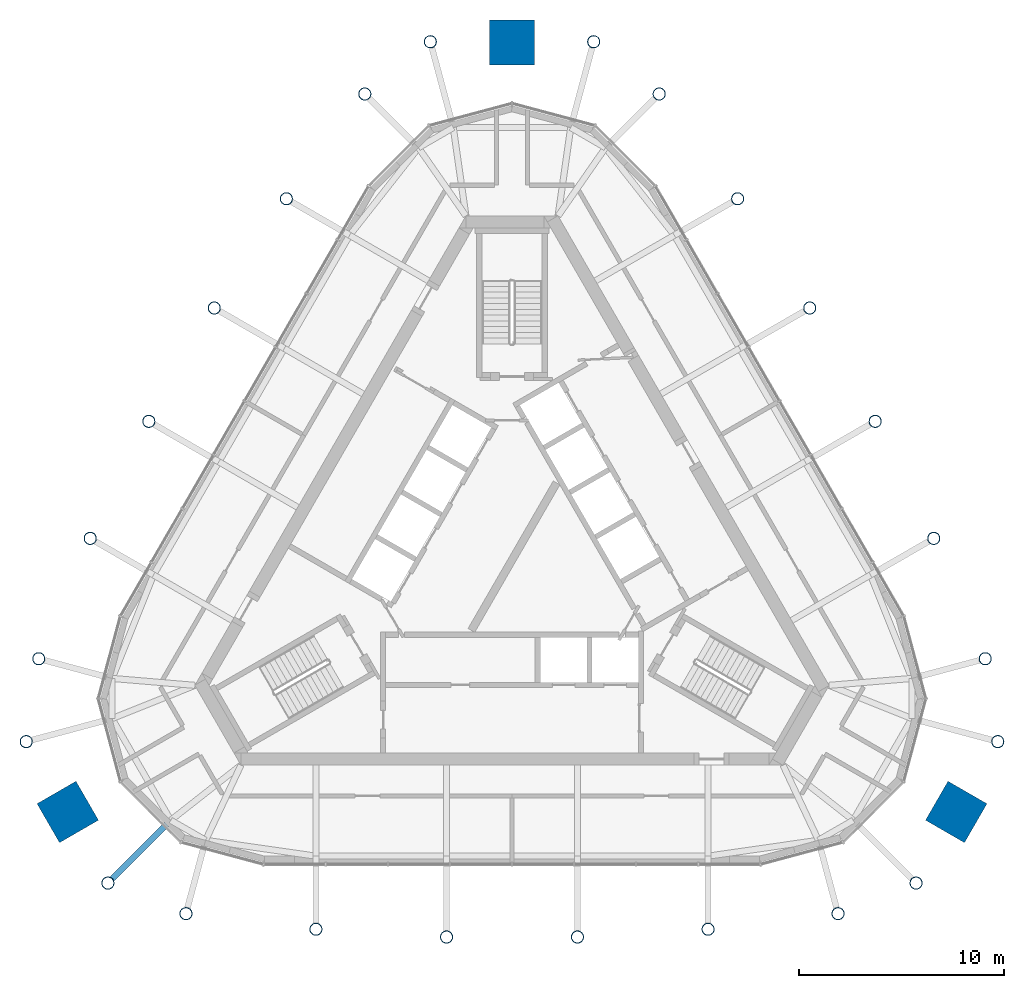
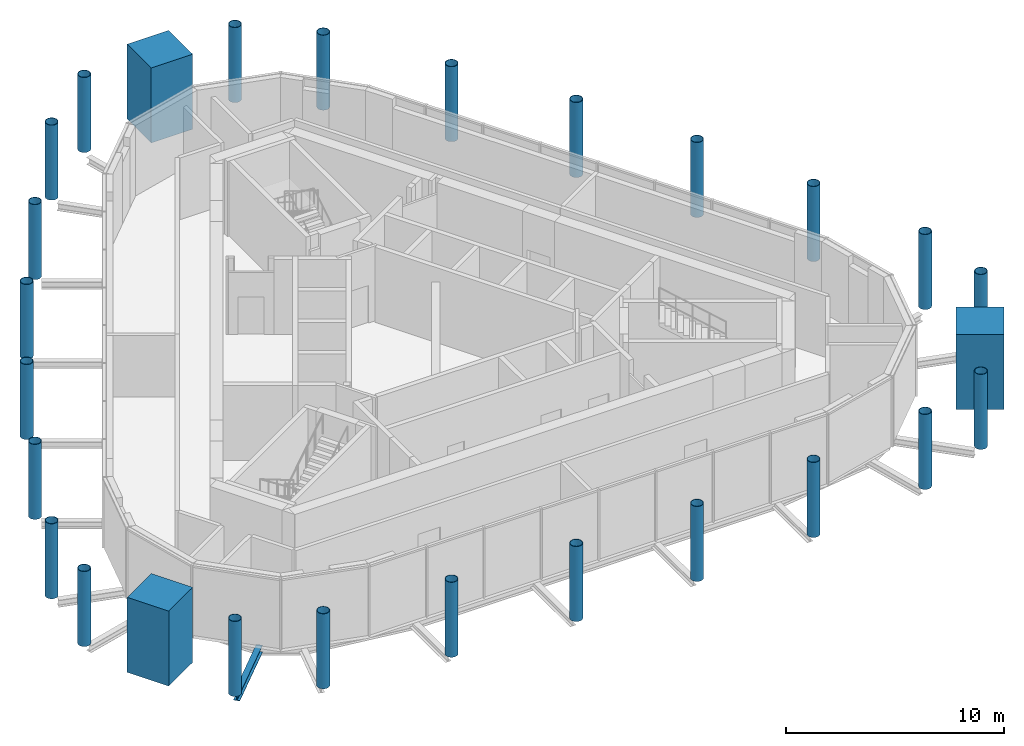
# One storey, part 1 of 11: 27 columns, 1 beam.
"""IFC4 building model written with IfcOpenShell, lengths in metres."""

import ifcopenshell
import ifcopenshell.guid

model = None  # the IFC model being written
_history = None  # IfcOwnerHistory: only IFC2X3 demands one
_inside = {}  # id of a spatial element -> (the spatial element, [elements in it])
_under = {}  # id of a project, library or spatial element -> (it, [spatial elements below it])
_declared = {}  # id of a project -> (the project, [libraries it declares])
_typed = {}  # id of a type object -> (the type object, [elements of that type])
_made_of = {}  # id of a material, layer set ... -> (it, [elements and type objects made of it])


def new_model(schema):
    """Start an empty IFC model of exactly this schema.

    Asked for "IFC4X3", IfcOpenShell would pick the latest addendum, in which some entities
    have other attributes; the version numbers below select the first issue.
    IFC2X3 requires an IfcOwnerHistory on every rooted entity: one is made here for all.
    """
    global model, _history
    if schema == "IFC4X3":
        model = ifcopenshell.file(schema_version=(4, 3, 0, 0))
    else:
        model = ifcopenshell.file(schema=schema)
    _inside.clear()
    _under.clear()
    _declared.clear()
    _typed.clear()
    _made_of.clear()
    _history = None
    if model.schema == "IFC2X3":
        org = make("IfcOrganization", Name="unknown")
        user = make(
            "IfcPersonAndOrganization",
            ThePerson=make("IfcPerson", FamilyName="unknown"),
            TheOrganization=org,
        )
        app = make(
            "IfcApplication",
            ApplicationDeveloper=org,
            Version="unknown",
            ApplicationFullName="unknown",
            ApplicationIdentifier="unknown",
        )
        _history = make(
            "IfcOwnerHistory",
            OwningUser=user,
            OwningApplication=app,
            ChangeAction="ADDED",
            CreationDate=0,
        )
    return model


def make(cls, **values):
    """One entity of the class cls with the attributes given. An attribute that is None is left unset."""
    return model.create_entity(
        cls, **{name: value for name, value in values.items() if value is not None}
    )


def rooted(cls, **values):
    """An entity with a GlobalId (a new one), such as an element, a storey or a relation."""
    return make(cls, GlobalId=ifcopenshell.guid.new(), OwnerHistory=_history, **values)


def si_unit(unit_type, name, prefix=None):
    """IfcSIUnit, for example si_unit("LENGTHUNIT", "METRE", prefix="MILLI")."""
    return make("IfcSIUnit", UnitType=unit_type, Prefix=prefix, Name=name)


def assignment(units):
    """IfcUnitAssignment: the units of a project."""
    return None if units is None else make("IfcUnitAssignment", Units=units)


def point(xyz):
    """IfcCartesianPoint."""
    return None if xyz is None else make("IfcCartesianPoint", Coordinates=xyz)


def direction(xyz):
    """IfcDirection."""
    return None if xyz is None else make("IfcDirection", DirectionRatios=xyz)


def frame(location, z_axis=None, x_axis=None):
    """IfcAxis2Placement3D, a coordinate frame: its origin and axes. An axis left out is left unset."""
    return make(
        "IfcAxis2Placement3D",
        Location=point(location),
        Axis=direction(z_axis),
        RefDirection=direction(x_axis),
    )


def frame_2d(location, x_axis=None):
    """IfcAxis2Placement2D, a coordinate frame in the plane: its origin and x axis."""
    return make(
        "IfcAxis2Placement2D", Location=point(location), RefDirection=direction(x_axis)
    )


def origin():
    """The frame at (0, 0, 0) with its axes left unset."""
    return frame((0.0, 0.0, 0.0))


def origin_2d():
    """The frame at (0, 0) in the plane with its x axis left unset."""
    return frame_2d((0.0, 0.0))


def place(relative_to, where):
    """IfcLocalPlacement: puts the frame where relative to a parent placement (None: the world)."""
    return make(
        "IfcLocalPlacement", PlacementRelTo=relative_to, RelativePlacement=where
    )


def context(
    kind, dimensions, precision=None, world=None, true_north=None, identifier=None
):
    """IfcGeometricRepresentationContext, for example the 3D "Model" context."""
    return make(
        "IfcGeometricRepresentationContext",
        ContextIdentifier=identifier,
        ContextType=kind,
        CoordinateSpaceDimension=dimensions,
        Precision=precision,
        WorldCoordinateSystem=world,
        TrueNorth=true_north,
    )


def subcontext(parent, identifier, kind, view, scale=None):
    """IfcGeometricRepresentationSubContext, for example "Body" below "Model"."""
    return make(
        "IfcGeometricRepresentationSubContext",
        ContextIdentifier=identifier,
        ContextType=kind,
        ParentContext=parent,
        TargetScale=scale,
        TargetView=view,
    )


def project(units=None, contexts=None):
    """IfcProject with its units and contexts."""
    return rooted(
        "IfcProject",
        Name="project",
        RepresentationContexts=contexts,
        UnitsInContext=assignment(units),
    )


def spatial(cls, under=None, at=None, **own):
    """A site, building, storey or space (cls), placed at a placement, below another one or the project."""
    s = rooted(cls, ObjectPlacement=at, **own)
    if under is not None:
        _under.setdefault(under.id(), (under, []))[1].append(s)
    return s


def profile(cls, at=None, kind="AREA", **sizes):
    """A parametric profile (cls). Its sizes go by their IFC names, for example OverallWidth=200.0."""
    return make(cls, ProfileType=kind, Position=at, **sizes)


def rectangle(**sizes):
    """IfcRectangleProfileDef."""
    return profile("IfcRectangleProfileDef", **sizes)


def hollow_circle(**sizes):
    """IfcCircleHollowProfileDef."""
    return profile("IfcCircleHollowProfileDef", **sizes)


def i_section(**sizes):
    """IfcIShapeProfileDef."""
    return profile("IfcIShapeProfileDef", **sizes)


def extrude(swept, where, along, depth):
    """IfcExtrudedAreaSolid: the profile swept, set in the frame where, extruded along a direction by depth."""
    return make(
        "IfcExtrudedAreaSolid",
        SweptArea=swept,
        Position=where,
        ExtrudedDirection=direction(along),
        Depth=depth,
    )


def shape(context_of_items, identifier, shape_type, items):
    """IfcShapeRepresentation: the items that make up one representation, for example the "Body"."""
    return make(
        "IfcShapeRepresentation",
        ContextOfItems=context_of_items,
        RepresentationIdentifier=identifier,
        RepresentationType=shape_type,
        Items=items,
    )


def material(Name=None, Category=None):
    """IfcMaterial."""
    return make("IfcMaterial", Name=Name, Category=Category)


def material_profile(
    of_material, cross_section, Name=None, Category=None, Priority=None
):
    """IfcMaterialProfile: a cross section and its material."""
    return make(
        "IfcMaterialProfile",
        Name=Name,
        Material=of_material,
        Profile=cross_section,
        Priority=Priority,
        Category=Category,
    )


def profile_set(profiles, Name=None, composite=None):
    """IfcMaterialProfileSet."""
    return make(
        "IfcMaterialProfileSet",
        Name=Name,
        MaterialProfiles=profiles,
        CompositeProfile=composite,
    )


def made_of(thing, what):
    """Note that an element or type object is made of a material, layer set ...; save() writes the relation."""
    if what is not None:
        _made_of.setdefault(what.id(), (what, []))[1].append(thing)
    return thing


def type_object(cls, material=None, **own):
    """A type object (cls), such as IfcWallType, which elements share."""
    return made_of(rooted(cls, **own), material)


def element(
    cls,
    number,
    at=None,
    inside=None,
    cuts=None,
    type_object=None,
    material=None,
    context=None,
    identifier="Body",
    shape_type=None,
    held_by="IfcProductDefinitionShape",
    body=None,
    shapes=None,
    **own,
):
    """One element of the class cls, such as IfcWall. Its Tag is "e" and its number.

    at: its placement. inside: the storey or other place that contains it. cuts: it is an
    opening in that element (IfcRelVoidsElement). A single representation is given by context,
    identifier, shape_type and body (its items); several are given by shapes. held_by: the class
    of the entity that holds the representations. save() writes the other relations.
    """
    e = rooted(cls, Tag="e%d" % number, ObjectPlacement=at, **own)
    if body is not None:
        shapes = [shape(context, identifier, shape_type, body)]
    if shapes is not None:
        e.Representation = make(held_by, Representations=shapes)
    if inside is not None:
        _inside.setdefault(inside.id(), (inside, []))[1].append(e)
    if cuts is not None:
        rooted(
            "IfcRelVoidsElement", RelatingBuildingElement=cuts, RelatedOpeningElement=e
        )
    if type_object is not None:
        _typed.setdefault(type_object.id(), (type_object, []))[1].append(e)
    return made_of(e, material)


def aggregate(whole, parts):
    """IfcRelAggregates: a whole, such as a stair, and the parts it consists of."""
    return rooted("IfcRelAggregates", RelatingObject=whole, RelatedObjects=parts)


def save(model, path):
    """Write the relations noted so far, then the file.

    IfcRelAggregates (storeys below a building ...), IfcRelContainedInSpatialStructure (elements
    in a storey), IfcRelDefinesByType, IfcRelAssociatesMaterial and IfcRelDeclares: one each for
    every whole, place, type object, material and project.
    """
    for whole, parts in _under.values():
        aggregate(whole, parts)
    for where, things in _inside.values():
        rooted(
            "IfcRelContainedInSpatialStructure",
            RelatedElements=things,
            RelatingStructure=where,
        )
    for kind, things in _typed.values():
        rooted("IfcRelDefinesByType", RelatedObjects=things, RelatingType=kind)
    for what, things in _made_of.values():
        rooted("IfcRelAssociatesMaterial", RelatedObjects=things, RelatingMaterial=what)
    for by, libraries in _declared.values():
        rooted("IfcRelDeclares", RelatingContext=by, RelatedDefinitions=libraries)
    model.write(path)


model = new_model("IFC4")

# Units and contexts
model_context = context("Model", 3, precision=1e-05, world=origin(), true_north=direction((0.0, 1.0)))
body_context = subcontext(model_context, "Body", "Model", "MODEL_VIEW")
ifc_project = project(units=[si_unit("LENGTHUNIT", "METRE"), si_unit("AREAUNIT", "SQUARE_METRE"), si_unit("VOLUMEUNIT", "CUBIC_METRE"), si_unit("PLANEANGLEUNIT", "RADIAN"), si_unit("MASSUNIT", "GRAM", prefix="KILO")], contexts=[model_context])

# Site, building, storey
site_placement = place(None, origin())
site = spatial("IfcSite", under=ifc_project, at=site_placement, CompositionType="ELEMENT")
building_placement = place(site_placement, origin())
building = spatial("IfcBuilding", under=site, at=building_placement, Name="Mestral Congress Tower", CompositionType="ELEMENT")
storey_placement = place(building_placement, frame((0.0, 0.0, 336.0)))
storey = spatial("IfcBuildingStorey", under=building, at=storey_placement, Name="L78", CompositionType="ELEMENT", Elevation=336.0)

# Columns
ifc_material_1 = material(Name="Steel S355", Category="steel")
ifc_material_profile_1 = material_profile(ifc_material_1, hollow_circle(Radius=0.304931640625, WallThickness=0.02490234375, at=origin_2d()), Name="CHS 610x25")
ifc_profile_set_1 = profile_set([ifc_material_profile_1], Name="Steel S355")
column_type_1 = type_object("IfcColumnType", Name="Colonnade column CHS 610x25 S355", PredefinedType="COLUMN", material=ifc_profile_set_1)
for number, where, z_axis, x_axis, name in (
    (1, (-15.940673828125, -17.511962890625, 0.0), (0.0, 0.0, 1.0), (1.0, 0.0, 0.0), "COL-L78-K-C5-S00"),
    (2, (-9.587158203125, -18.273681640625, 0.0), (0.0, 0.0, 1.0), (1.0, 0.0, 0.0), "COL-L78-K-C5-S01"),
    (3, (-3.199462890625, -18.6552734375, 0.0), (0.0, 0.0, 1.0), (1.0, 0.0, 0.0), "COL-L78-K-C5-S02"),
    (4, (3.199462890625, -18.6552734375, 0.0), (0.0, 0.0, 1.0), (1.0, 0.0, 0.0), "COL-L78-K-C5-S03"),
    (5, (9.587158203125, -18.273681640625, 0.0), (0.0, 0.0, 1.0), (1.0, 0.0, 0.0), "COL-L78-K-C5-S04"),
    (6, (15.940673828125, -17.511962890625, 0.0), (0.0, 0.0, 1.0), (1.0, 0.0, 0.0), "COL-L78-K-C5-S05"),
    (7, (19.75439453125, -16.0166015625, 0.0), (0.0, 0.0, 1.0), (1.0, 0.0, 0.0), "COL-L78-K-C5-SE1"),
    (8, (23.748046875, -9.099609375, 0.0), (0.0, 0.0, 1.0), (1.0, 0.0, 0.0), "COL-L78-K-C5-SE3"),
    (9, (23.135986328125, -5.049072265625, 0.0), (0.0, 0.0, 1.0), (1.0, 0.0, 0.0), "COL-L78-K-C5-E00"),
    (10, (20.618896484375, 0.833984375, 0.0), (0.0, 0.0, 1.0), (1.0, 0.0, 0.0), "COL-L78-K-C5-E01"),
    (11, (17.755615234375, 6.556640625, 0.0), (0.0, 0.0, 1.0), (1.0, 0.0, 0.0), "COL-L78-K-C5-E02"),
    (12, (14.55615234375, 12.098388671875, 0.0), (0.0, 0.0, 1.0), (1.0, 0.0, 0.0), "COL-L78-K-C5-E03"),
    (13, (11.031982421875, 17.439697265625, 0.0), (0.0, 0.0, 1.0), (1.0, 0.0, 0.0), "COL-L78-K-C5-E04"),
    (14, (7.1953125, 22.56103515625, 0.0), (0.0, 0.0, 1.0), (1.0, 0.0, 0.0), "COL-L78-K-C5-E05"),
    (15, (3.993408203125, 25.1162109375, 0.0), (0.0, 0.0, 1.0), (1.0, 0.0, 0.0), "COL-L78-K-C5-N1"),
    (16, (-3.993408203125, 25.1162109375, 0.0), (0.0, 0.0, 1.0), (1.0, 0.0, 0.0), "COL-L78-K-C5-N3"),
    (17, (-7.1953125, 22.56103515625, 0.0), (0.0, 0.0, 1.0), (1.0, 0.0, 0.0), "COL-L78-K-C5-W00"),
    (18, (-11.031982421875, 17.439697265625, 0.0), (0.0, 0.0, 1.0), (1.0, 0.0, 0.0), "COL-L78-K-C5-W01"),
    (19, (-14.55615234375, 12.098388671875, 0.0), (0.0, 0.0, 1.0), (1.0, 0.0, 0.0), "COL-L78-K-C5-W02"),
    (20, (-17.755615234375, 6.556640625, 0.0), (0.0, 0.0, 1.0), (1.0, 0.0, 0.0), "COL-L78-K-C5-W03"),
    (21, (-20.618896484375, 0.833984375, 0.0), (0.0, 0.0, 1.0), (1.0, 0.0, 0.0), "COL-L78-K-C5-W04"),
    (22, (-23.135986328125, -5.049072265625, 0.0), (0.0, 0.0, 1.0), (1.0, 0.0, 0.0), "COL-L78-K-C5-W05"),
    (23, (-23.748046875, -9.099609375, 0.0), (0.0, 0.0, 1.0), (1.0, 0.0, 0.0), "COL-L78-K-C5-SW1"),
    (24, (-19.75439453125, -16.0166015625, 0.0), (0.0, 0.0, 1.0), (1.0, 0.0, 0.0), "COL-L78-K-C5-SW3"),
):
    element("IfcColumn", number, at=place(storey_placement, frame(where, z_axis=z_axis, x_axis=x_axis)), inside=storey, type_object=column_type_1, Name=name, PredefinedType="COLUMN", context=body_context, shape_type="SweptSolid", body=[
        extrude(hollow_circle(Radius=0.304931640625, WallThickness=0.02490234375, at=origin_2d()), origin(), (0.0, 0.0, 1.0), 4.199951171875),
    ])
ifc_material_2 = material(Name="Concrete C60/75", Category="concrete")
ifc_material_profile_2 = material_profile(ifc_material_2, rectangle(XDim=2.199951171875, YDim=2.199951171875, at=origin_2d()), Name="RC 2200x2200")
ifc_profile_set_2 = profile_set([ifc_material_profile_2], Name="Concrete C60/75")
column_type_2 = type_object("IfcColumnType", Name="Mega column RC 2200x2200 C60/75", PredefinedType="COLUMN", material=ifc_profile_set_2)
for number, where, z_axis, x_axis, name in (
    (25, (21.71826171875, -12.5390625, 0.0), (0.0, 0.0, 1.0), (0.866025403784, -0.5, 0.0), "COL-L78-PY5-SE"),
    (26, (0.0, 25.078125, 0.0), (0.0, 0.0, 1.0), (0.0, 1.0, 0.0), "COL-L78-PY5-N"),
    (27, (-21.71826171875, -12.5390625, 0.0), (0.0, 0.0, 1.0), (-0.866025403784, -0.5, 0.0), "COL-L78-PY5-SW"),
):
    element("IfcColumn", number, at=place(storey_placement, frame(where, z_axis=z_axis, x_axis=x_axis)), inside=storey, type_object=column_type_2, Name=name, PredefinedType="COLUMN", context=body_context, shape_type="SweptSolid", body=[
        extrude(rectangle(XDim=2.199951171875, YDim=2.199951171875, at=origin_2d()), origin(), (0.0, 0.0, 1.0), 4.199951171875),
    ])

# Beam
ifc_material_profile_3 = material_profile(ifc_material_1, i_section(OverallWidth=0.300048828125, OverallDepth=0.39990234375, WebThickness=0.013427734375, FlangeThickness=0.02392578125, FilletRadius=0.027099609375, at=origin_2d()), Name="HEB 400")
ifc_profile_set_3 = profile_set([ifc_material_profile_3], Name="Steel S355")
beam_type = type_object("IfcBeamType", Name="Floor beam HEB 400 S355", PredefinedType="BEAM", material=ifc_profile_set_3)
beam_placement = place(storey_placement, frame((-19.538818359375, -15.80078125, -0.449951171875), z_axis=(0.707137007821, 0.70707655326, 0.0), x_axis=(-0.70707655326, 0.707137007821, 0.0)))
element("IfcBeam", 28, at=beam_placement, inside=storey, type_object=beam_type, Name="BM-L78-KT-C5-SW3", PredefinedType="BEAM", context=body_context, shape_type="SweptSolid", body=[
    extrude(i_section(OverallWidth=0.300048828125, OverallDepth=0.39990234375, WebThickness=0.013427734375, FlangeThickness=0.02392578125, FilletRadius=0.027099609375, at=origin_2d()), origin(), (0.0, 0.0, 1.0), 4.038330078125),
])

save(model, "model.ifc")
